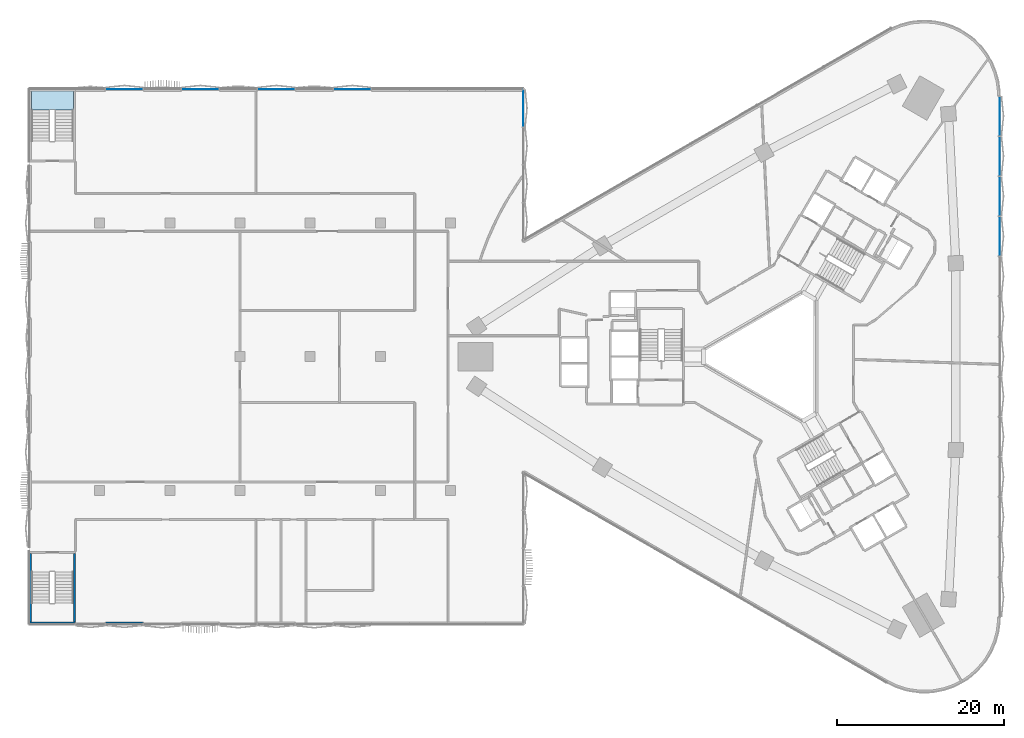
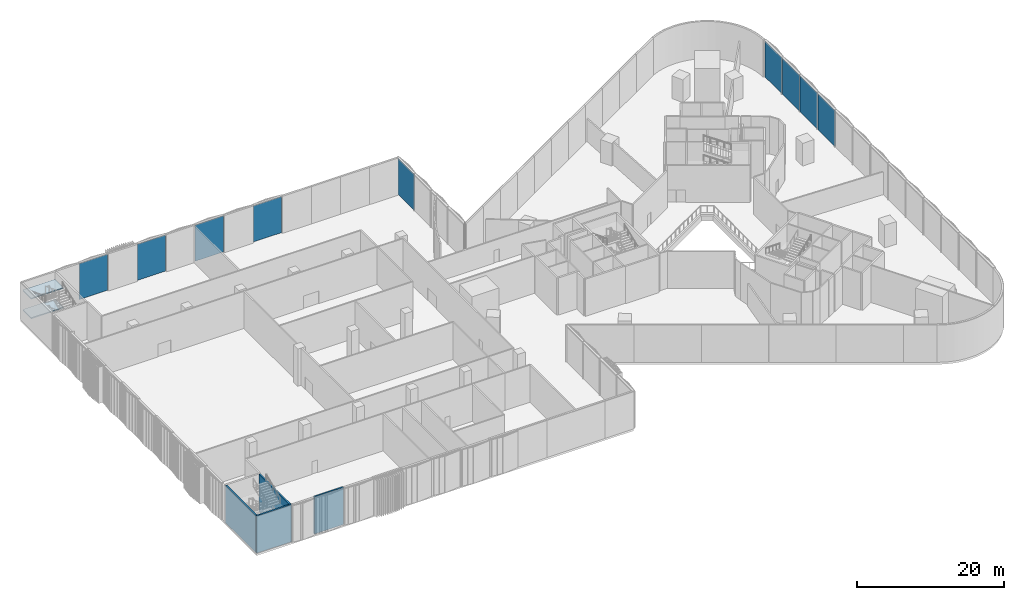
# One storey, part 11 of 32: 9 plates, 4 walls, 2 slabs, 3 elements without a shape of their own.
"""IFC4 building model written with IfcOpenShell, lengths in metres."""

import ifcopenshell
import ifcopenshell.guid

model = None  # the IFC model being written
_history = None  # IfcOwnerHistory: only IFC2X3 demands one
_inside = {}  # id of a spatial element -> (the spatial element, [elements in it])
_under = {}  # id of a project, library or spatial element -> (it, [spatial elements below it])
_declared = {}  # id of a project -> (the project, [libraries it declares])
_typed = {}  # id of a type object -> (the type object, [elements of that type])
_made_of = {}  # id of a material, layer set ... -> (it, [elements and type objects made of it])


def new_model(schema):
    """Start an empty IFC model of exactly this schema.

    Asked for "IFC4X3", IfcOpenShell would pick the latest addendum, in which some entities
    have other attributes; the version numbers below select the first issue.
    IFC2X3 requires an IfcOwnerHistory on every rooted entity: one is made here for all.
    """
    global model, _history
    if schema == "IFC4X3":
        model = ifcopenshell.file(schema_version=(4, 3, 0, 0))
    else:
        model = ifcopenshell.file(schema=schema)
    _inside.clear()
    _under.clear()
    _declared.clear()
    _typed.clear()
    _made_of.clear()
    _history = None
    if model.schema == "IFC2X3":
        org = make("IfcOrganization", Name="unknown")
        user = make(
            "IfcPersonAndOrganization",
            ThePerson=make("IfcPerson", FamilyName="unknown"),
            TheOrganization=org,
        )
        app = make(
            "IfcApplication",
            ApplicationDeveloper=org,
            Version="unknown",
            ApplicationFullName="unknown",
            ApplicationIdentifier="unknown",
        )
        _history = make(
            "IfcOwnerHistory",
            OwningUser=user,
            OwningApplication=app,
            ChangeAction="ADDED",
            CreationDate=0,
        )
    return model


def make(cls, **values):
    """One entity of the class cls with the attributes given. An attribute that is None is left unset."""
    return model.create_entity(
        cls, **{name: value for name, value in values.items() if value is not None}
    )


def rooted(cls, **values):
    """An entity with a GlobalId (a new one), such as an element, a storey or a relation."""
    return make(cls, GlobalId=ifcopenshell.guid.new(), OwnerHistory=_history, **values)


def si_unit(unit_type, name, prefix=None):
    """IfcSIUnit, for example si_unit("LENGTHUNIT", "METRE", prefix="MILLI")."""
    return make("IfcSIUnit", UnitType=unit_type, Prefix=prefix, Name=name)


def assignment(units):
    """IfcUnitAssignment: the units of a project."""
    return None if units is None else make("IfcUnitAssignment", Units=units)


def point(xyz):
    """IfcCartesianPoint."""
    return None if xyz is None else make("IfcCartesianPoint", Coordinates=xyz)


def direction(xyz):
    """IfcDirection."""
    return None if xyz is None else make("IfcDirection", DirectionRatios=xyz)


def frame(location, z_axis=None, x_axis=None):
    """IfcAxis2Placement3D, a coordinate frame: its origin and axes. An axis left out is left unset."""
    return make(
        "IfcAxis2Placement3D",
        Location=point(location),
        Axis=direction(z_axis),
        RefDirection=direction(x_axis),
    )


def frame_2d(location, x_axis=None):
    """IfcAxis2Placement2D, a coordinate frame in the plane: its origin and x axis."""
    return make(
        "IfcAxis2Placement2D", Location=point(location), RefDirection=direction(x_axis)
    )


def origin():
    """The frame at (0, 0, 0) with its axes left unset."""
    return frame((0.0, 0.0, 0.0))


def origin_2d():
    """The frame at (0, 0) in the plane with its x axis left unset."""
    return frame_2d((0.0, 0.0))


def place(relative_to, where):
    """IfcLocalPlacement: puts the frame where relative to a parent placement (None: the world)."""
    return make(
        "IfcLocalPlacement", PlacementRelTo=relative_to, RelativePlacement=where
    )


def context(
    kind, dimensions, precision=None, world=None, true_north=None, identifier=None
):
    """IfcGeometricRepresentationContext, for example the 3D "Model" context."""
    return make(
        "IfcGeometricRepresentationContext",
        ContextIdentifier=identifier,
        ContextType=kind,
        CoordinateSpaceDimension=dimensions,
        Precision=precision,
        WorldCoordinateSystem=world,
        TrueNorth=true_north,
    )


def subcontext(parent, identifier, kind, view, scale=None):
    """IfcGeometricRepresentationSubContext, for example "Body" below "Model"."""
    return make(
        "IfcGeometricRepresentationSubContext",
        ContextIdentifier=identifier,
        ContextType=kind,
        ParentContext=parent,
        TargetScale=scale,
        TargetView=view,
    )


def project(units=None, contexts=None):
    """IfcProject with its units and contexts."""
    return rooted(
        "IfcProject",
        Name="project",
        RepresentationContexts=contexts,
        UnitsInContext=assignment(units),
    )


def spatial(cls, under=None, at=None, **own):
    """A site, building, storey or space (cls), placed at a placement, below another one or the project."""
    s = rooted(cls, ObjectPlacement=at, **own)
    if under is not None:
        _under.setdefault(under.id(), (under, []))[1].append(s)
    return s


def polyline(points):
    """IfcPolyline through the points."""
    return make("IfcPolyline", Points=[point(p) for p in points])


def profile(cls, at=None, kind="AREA", **sizes):
    """A parametric profile (cls). Its sizes go by their IFC names, for example OverallWidth=200.0."""
    return make(cls, ProfileType=kind, Position=at, **sizes)


def rectangle(**sizes):
    """IfcRectangleProfileDef."""
    return profile("IfcRectangleProfileDef", **sizes)


def outline(outer, holes=None, kind="AREA"):
    """IfcArbitraryClosedProfileDef: a profile drawn as a closed curve; with holes, ...WithVoids."""
    if holes is None:
        return make("IfcArbitraryClosedProfileDef", ProfileType=kind, OuterCurve=outer)
    return make(
        "IfcArbitraryProfileDefWithVoids",
        ProfileType=kind,
        OuterCurve=outer,
        InnerCurves=holes,
    )


def extrude(swept, where, along, depth):
    """IfcExtrudedAreaSolid: the profile swept, set in the frame where, extruded along a direction by depth."""
    return make(
        "IfcExtrudedAreaSolid",
        SweptArea=swept,
        Position=where,
        ExtrudedDirection=direction(along),
        Depth=depth,
    )


def shape(context_of_items, identifier, shape_type, items):
    """IfcShapeRepresentation: the items that make up one representation, for example the "Body"."""
    return make(
        "IfcShapeRepresentation",
        ContextOfItems=context_of_items,
        RepresentationIdentifier=identifier,
        RepresentationType=shape_type,
        Items=items,
    )


def material(Name=None, Category=None):
    """IfcMaterial."""
    return make("IfcMaterial", Name=Name, Category=Category)


def layer(
    of_material, thickness, ventilated=None, Name=None, Category=None, Priority=None
):
    """IfcMaterialLayer: one layer of a wall or slab, of a material (None: an air gap)."""
    return make(
        "IfcMaterialLayer",
        Material=of_material,
        LayerThickness=thickness,
        IsVentilated=ventilated,
        Name=Name,
        Category=Category,
        Priority=Priority,
    )


def layer_set(layers, Name=None):
    """IfcMaterialLayerSet."""
    return make("IfcMaterialLayerSet", MaterialLayers=layers, LayerSetName=Name)


def made_of(thing, what):
    """Note that an element or type object is made of a material, layer set ...; save() writes the relation."""
    if what is not None:
        _made_of.setdefault(what.id(), (what, []))[1].append(thing)
    return thing


def type_object(cls, material=None, **own):
    """A type object (cls), such as IfcWallType, which elements share."""
    return made_of(rooted(cls, **own), material)


def element(
    cls,
    number,
    at=None,
    inside=None,
    cuts=None,
    type_object=None,
    material=None,
    context=None,
    identifier="Body",
    shape_type=None,
    held_by="IfcProductDefinitionShape",
    body=None,
    shapes=None,
    **own,
):
    """One element of the class cls, such as IfcWall. Its Tag is "e" and its number.

    at: its placement. inside: the storey or other place that contains it. cuts: it is an
    opening in that element (IfcRelVoidsElement). A single representation is given by context,
    identifier, shape_type and body (its items); several are given by shapes. held_by: the class
    of the entity that holds the representations. save() writes the other relations.
    """
    e = rooted(cls, Tag="e%d" % number, ObjectPlacement=at, **own)
    if body is not None:
        shapes = [shape(context, identifier, shape_type, body)]
    if shapes is not None:
        e.Representation = make(held_by, Representations=shapes)
    if inside is not None:
        _inside.setdefault(inside.id(), (inside, []))[1].append(e)
    if cuts is not None:
        rooted(
            "IfcRelVoidsElement", RelatingBuildingElement=cuts, RelatedOpeningElement=e
        )
    if type_object is not None:
        _typed.setdefault(type_object.id(), (type_object, []))[1].append(e)
    return made_of(e, material)


def aggregate(whole, parts):
    """IfcRelAggregates: a whole, such as a stair, and the parts it consists of."""
    return rooted("IfcRelAggregates", RelatingObject=whole, RelatedObjects=parts)


def save(model, path):
    """Write the relations noted so far, then the file.

    IfcRelAggregates (storeys below a building ...), IfcRelContainedInSpatialStructure (elements
    in a storey), IfcRelDefinesByType, IfcRelAssociatesMaterial and IfcRelDeclares: one each for
    every whole, place, type object, material and project.
    """
    for whole, parts in _under.values():
        aggregate(whole, parts)
    for where, things in _inside.values():
        rooted(
            "IfcRelContainedInSpatialStructure",
            RelatedElements=things,
            RelatingStructure=where,
        )
    for kind, things in _typed.values():
        rooted("IfcRelDefinesByType", RelatedObjects=things, RelatingType=kind)
    for what, things in _made_of.values():
        rooted("IfcRelAssociatesMaterial", RelatedObjects=things, RelatingMaterial=what)
    for by, libraries in _declared.values():
        rooted("IfcRelDeclares", RelatingContext=by, RelatedDefinitions=libraries)
    model.write(path)


model = new_model("IFC4")

# Units and contexts
model_context = context("Model", 3, precision=1e-05, world=origin(), true_north=direction((0.0, 1.0)))
body_context = subcontext(model_context, "Body", "Model", "MODEL_VIEW")
ifc_project = project(units=[si_unit("LENGTHUNIT", "METRE"), si_unit("AREAUNIT", "SQUARE_METRE"), si_unit("VOLUMEUNIT", "CUBIC_METRE"), si_unit("PLANEANGLEUNIT", "RADIAN"), si_unit("MASSUNIT", "GRAM", prefix="KILO")], contexts=[model_context])

# Site, building, storey
site_placement = place(None, origin())
site = spatial("IfcSite", under=ifc_project, at=site_placement, CompositionType="ELEMENT")
building_placement = place(site_placement, origin())
building = spatial("IfcBuilding", under=site, at=building_placement, Name="Tamra Quay Hotel Tower", CompositionType="ELEMENT")
storey_placement = place(building_placement, frame((0.0, 0.0, 7.5)))
storey = spatial("IfcBuildingStorey", under=building, at=storey_placement, Name="L01", CompositionType="ELEMENT", Elevation=7.5)

# Stair, slabs
ifc_material_1 = material(Name="Exit stair 2200 44 risers 147.7 going 374")
stair_type = type_object("IfcStairType", Name="Exit stair 2200 44 risers 147.7 going 374", PredefinedType="HALF_TURN_STAIR", material=ifc_material_1)
stair_placement = place(storey_placement, origin())
stair = element("IfcStair", 1, at=stair_placement, inside=storey, type_object=stair_type, Name="L01 Exit stair PS1", PredefinedType="HALF_TURN_STAIR")
ifc_material_2 = material(Name="Concrete M70", Category="concrete")
ifc_layer_1 = layer(ifc_material_2, 0.175048828125)
ifc_layer_set_1 = layer_set([ifc_layer_1], Name="Concrete M70 stair landing 180")
slab_type = type_object("IfcSlabType", Name="Concrete M70 stair landing 180", PredefinedType="LANDING", material=ifc_layer_set_1)
slab_1_placement = place(storey_placement, frame((0.0, 0.0, 1.449951171875)))
slab_1 = element("IfcSlab", 2, at=slab_1_placement, type_object=slab_type, Name="PS1 landing 1", PredefinedType="LANDING", context=body_context, shape_type="SweptSolid", body=[
    extrude(outline(polyline([(-83.820068359375, 29.489990234375), (-83.820068359375, 31.780029296875), (-88.8798828125, 31.780029296875), (-88.8798828125, 29.489990234375), (-83.820068359375, 29.489990234375)])), origin(), (0.0, 0.0, 1.0), 0.175048828125),
])
slab_2_placement = place(storey_placement, frame((0.0, 0.0, 4.699951171875)))
slab_2 = element("IfcSlab", 3, at=slab_2_placement, type_object=slab_type, Name="PS1 landing 3", PredefinedType="LANDING", context=body_context, shape_type="SweptSolid", body=[
    extrude(outline(polyline([(-83.820068359375, 29.489990234375), (-83.820068359375, 31.780029296875), (-88.8798828125, 31.780029296875), (-88.8798828125, 29.489990234375), (-83.820068359375, 29.489990234375)])), origin(), (0.0, 0.0, 1.0), 0.175048828125),
])
aggregate(stair, [slab_1, slab_2])

# Curtain wall, plates
ifc_material_3 = material(Name="Aluminium 6063 anodised dark grey", Category="aluminium")
curtain_wall_type = type_object("IfcCurtainWallType", Name="CW4 CURTAIN WALL", PredefinedType="NOTDEFINED", material=ifc_material_3)
curtain_wall_1_placement = place(storey_placement, origin())
curtain_wall_1 = element("IfcCurtainWall", 4, at=curtain_wall_1_placement, inside=storey, type_object=curtain_wall_type, Name="CW4 east face L01", PredefinedType="NOTDEFINED")
ifc_material_4 = material(Name="Glass clear laminated low-iron", Category="glass")
ifc_layer_2 = layer(ifc_material_4, 0.0400390625)
ifc_layer_set_2 = layer_set([ifc_layer_2], Name="GLASS PANEL CW4")
plate_type = type_object("IfcPlateType", Name="GLASS PANEL CW4", PredefinedType="CURTAIN_PANEL", material=ifc_layer_set_2)
plate_1_placement = place(storey_placement, frame((27.0, 14.389404296875, 0.0), z_axis=(0.0, 0.0, 1.0), x_axis=(0.0, 1.0, 0.0)))
plate_1 = element("IfcPlate", 5, at=plate_1_placement, type_object=plate_type, Name="CW4 glass L01.E.14", PredefinedType="CURTAIN_PANEL", context=body_context, shape_type="SweptSolid", body=[
    extrude(rectangle(XDim=4.676513671875, YDim=0.0400390625, at=origin_2d()), origin(), (0.0, 0.0, 1.0), 5.969970703125),
])
plate_2_placement = place(storey_placement, frame((27.0, 19.185791015625, 0.0), z_axis=(0.0, 0.0, 1.0), x_axis=(0.0, 1.0, 0.0)))
plate_2 = element("IfcPlate", 6, at=plate_2_placement, type_object=plate_type, Name="CW4 glass L01.E.15", PredefinedType="CURTAIN_PANEL", context=body_context, shape_type="SweptSolid", body=[
    extrude(rectangle(XDim=4.676513671875, YDim=0.0400390625, at=origin_2d()), origin(), (0.0, 0.0, 1.0), 5.969970703125),
])
plate_3_placement = place(storey_placement, frame((27.0, 23.982177734375, 0.0), z_axis=(0.0, 0.0, 1.0), x_axis=(0.0, 1.0, 0.0)))
plate_3 = element("IfcPlate", 7, at=plate_3_placement, type_object=plate_type, Name="CW4 glass L01.E.16", PredefinedType="CURTAIN_PANEL", context=body_context, shape_type="SweptSolid", body=[
    extrude(rectangle(XDim=4.676513671875, YDim=0.0400390625, at=origin_2d()), origin(), (0.0, 0.0, 1.0), 5.969970703125),
])
plate_4_placement = place(storey_placement, frame((27.0, 28.77880859375, 0.0), z_axis=(0.0, 0.0, 1.0), x_axis=(0.0, 1.0, 0.0)))
plate_4 = element("IfcPlate", 8, at=plate_4_placement, type_object=plate_type, Name="CW4 glass L01.E.17", PredefinedType="CURTAIN_PANEL", context=body_context, shape_type="SweptSolid", body=[
    extrude(rectangle(XDim=4.676513671875, YDim=0.0400390625, at=origin_2d()), origin(), (0.0, 0.0, 1.0), 5.969970703125),
])
plate_5_placement = place(storey_placement, frame((-30.0, 29.73193359375, 0.0), z_axis=(0.0, 0.0, 1.0), x_axis=(0.0, 1.0, 0.0)))
plate_5 = element("IfcPlate", 9, at=plate_5_placement, type_object=plate_type, Name="CW4 glass L01.E.21", PredefinedType="CURTAIN_PANEL", context=body_context, shape_type="SweptSolid", body=[
    extrude(rectangle(XDim=4.416015625, YDim=0.0400390625, at=origin_2d()), origin(), (0.0, 0.0, 1.0), 5.969970703125),
])
aggregate(curtain_wall_1, [plate_1, plate_2, plate_3, plate_4, plate_5])

curtain_wall_2_placement = place(storey_placement, origin())
curtain_wall_2 = element("IfcCurtainWall", 10, at=curtain_wall_2_placement, inside=storey, type_object=curtain_wall_type, Name="CW4 north-west face L01", PredefinedType="NOTDEFINED")
plate_6_placement = place(storey_placement, frame((-50.457763671875, 32.0, 0.0), z_axis=(0.0, 0.0, 1.0), x_axis=(-1.0, 0.0, 0.0)))
plate_6 = element("IfcPlate", 11, at=plate_6_placement, type_object=plate_type, Name="CW4 glass L01.NW.1", PredefinedType="CURTAIN_PANEL", context=body_context, shape_type="SweptSolid", body=[
    extrude(rectangle(XDim=4.42626953125, YDim=0.0400390625, at=origin_2d()), origin(), (0.0, 0.0, 1.0), 5.969970703125),
])
plate_7_placement = place(storey_placement, frame((-59.550048828125, 32.0, 0.0), z_axis=(0.0, 0.0, 1.0), x_axis=(-1.0, 0.0, 0.0)))
plate_7 = element("IfcPlate", 12, at=plate_7_placement, type_object=plate_type, Name="CW4 glass L01.NW.2", PredefinedType="CURTAIN_PANEL", context=body_context, shape_type="SweptSolid", body=[
    extrude(rectangle(XDim=4.42626953125, YDim=0.0400390625, at=origin_2d()), origin(), (0.0, 0.0, 1.0), 5.969970703125),
])
plate_8_placement = place(storey_placement, frame((-68.642333984375, 32.0, 0.0), z_axis=(0.0, 0.0, 1.0), x_axis=(-1.0, 0.0, 0.0)))
plate_8 = element("IfcPlate", 13, at=plate_8_placement, type_object=plate_type, Name="CW4 glass L01.NW.3", PredefinedType="CURTAIN_PANEL", context=body_context, shape_type="SweptSolid", body=[
    extrude(rectangle(XDim=4.42626953125, YDim=0.0400390625, at=origin_2d()), origin(), (0.0, 0.0, 1.0), 5.969970703125),
])
plate_9_placement = place(storey_placement, frame((-77.734619140625, 32.0, 0.0), z_axis=(0.0, 0.0, 1.0), x_axis=(-1.0, 0.0, 0.0)))
plate_9 = element("IfcPlate", 14, at=plate_9_placement, type_object=plate_type, Name="CW4 glass L01.NW.4", PredefinedType="CURTAIN_PANEL", context=body_context, shape_type="SweptSolid", body=[
    extrude(rectangle(XDim=4.42626953125, YDim=0.0400390625, at=origin_2d()), origin(), (0.0, 0.0, 1.0), 5.969970703125),
])
aggregate(curtain_wall_2, [plate_6, plate_7, plate_8, plate_9])

# Walls
ifc_layer_3 = layer(ifc_material_2, 0.199951171875)
ifc_layer_set_3 = layer_set([ifc_layer_3], Name="Concrete M70 core wall 200")
wall_type_1 = type_object("IfcWallType", Name="Concrete M70 core wall 200", PredefinedType="SHEAR", material=ifc_layer_set_3)
wall_1_placement = place(storey_placement, frame((-89.10009765625, -31.875, 0.0), z_axis=(0.0, 0.0, 1.0), x_axis=(1.0, 0.0, 0.0)))
element("IfcWall", 15, at=wall_1_placement, inside=storey, type_object=wall_type_1, Name="CW2", PredefinedType="SHEAR", context=body_context, shape_type="SweptSolid", body=[
    extrude(rectangle(XDim=5.5, YDim=0.25, at=frame_2d((2.75, 0.0))), origin(), (0.0, 0.0, 1.0), 6.14990234375),
])
for number, where, z_axis, x_axis, name in (
    (16, (-88.97509765625, -31.75, 0.0), (0.0, 0.0, 1.0), (0.0, 1.0, 0.0), "CW2"),
    (17, (-83.72509765625, -31.75, 0.0), (0.0, 0.0, 1.0), (0.0, 1.0, 0.0), "CW2"),
):
    element("IfcWall", number, at=place(storey_placement, frame(where, z_axis=z_axis, x_axis=x_axis)), inside=storey, type_object=wall_type_1, Name=name, PredefinedType="SHEAR", context=body_context, shape_type="SweptSolid", body=[
        extrude(rectangle(XDim=8.199951171875, YDim=0.25, at=frame_2d((4.10009765625, 0.0))), origin(), (0.0, 0.0, 1.0), 6.14990234375),
    ])
ifc_material_5 = material(Name="Blockwork masonry plastered", Category="masonry")
ifc_layer_4 = layer(ifc_material_5, 0.25)
ifc_layer_set_4 = layer_set([ifc_layer_4], Name="EXTERNAL WALL 250")
wall_type_2 = type_object("IfcWallType", Name="EXTERNAL WALL 250", PredefinedType="SOLIDWALL", material=ifc_layer_set_4)
wall_2_placement = place(storey_placement, frame((-75.46142578125, -31.875, 0.0), z_axis=(0.0, 0.0, 1.0), x_axis=(-1.0, 0.0, 0.0)))
element("IfcWall", 18, at=wall_2_placement, inside=storey, type_object=wall_type_2, Name="EW1", PredefinedType="SOLIDWALL", context=body_context, shape_type="SweptSolid", body=[
    extrude(rectangle(XDim=4.54638671875, YDim=0.25, at=frame_2d((2.273193359375, 0.0))), origin(), (0.0, 0.0, 1.0), 6.14990234375),
])

save(model, "model.ifc")
